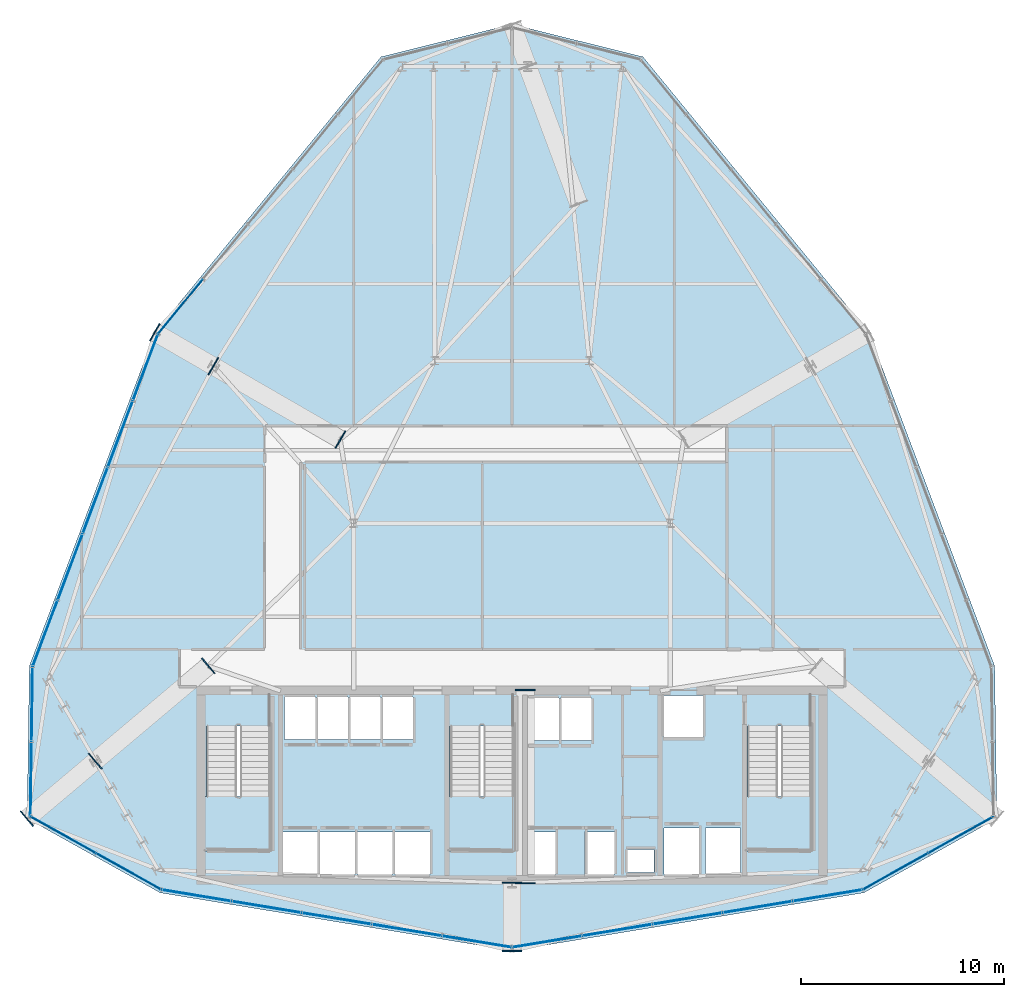
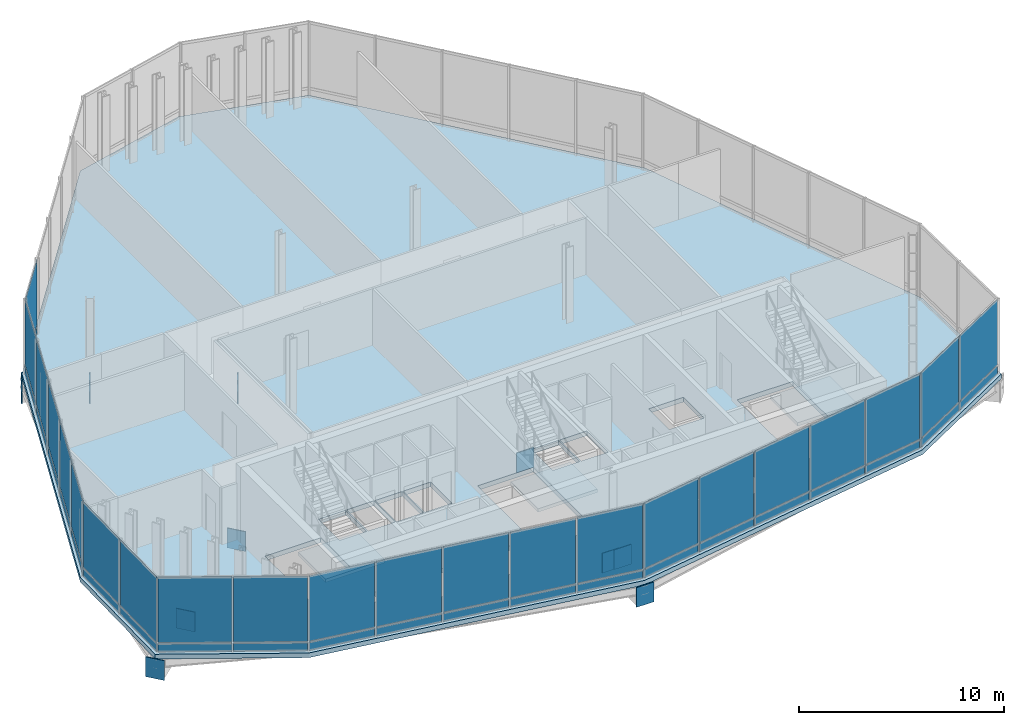
# One storey, part 19 of 26: 54 plates, 4 slabs, 10 elements without a shape of their own.
"""IFC4 building model written with IfcOpenShell, lengths in metres."""

from ifc_helpers import new_model, si_unit, direction, frame, origin, origin_2d, place, context, subcontext, project, spatial, polyline, rectangle, outline, extrude, material, layer, layer_set, type_object, element, aggregate, save


model = new_model("IFC4")

# Units and contexts
model_context = context("Model", 3, precision=1e-05, world=origin(), true_north=direction((0.0, 1.0)))
body_context = subcontext(model_context, "Body", "Model", "MODEL_VIEW")
ifc_project = project(units=[si_unit("LENGTHUNIT", "METRE"), si_unit("AREAUNIT", "SQUARE_METRE"), si_unit("VOLUMEUNIT", "CUBIC_METRE"), si_unit("PLANEANGLEUNIT", "RADIAN"), si_unit("MASSUNIT", "GRAM", prefix="KILO")], contexts=[model_context])

# Site, building, storey
site_placement = place(None, origin())
site = spatial("IfcSite", under=ifc_project, at=site_placement, CompositionType="ELEMENT")
building_placement = place(site_placement, origin())
building = spatial("IfcBuilding", under=site, at=building_placement, Name="Ndaravel Arena Tower", CompositionType="ELEMENT")
storey_placement = place(building_placement, frame((0.0, 0.0, 117.39990234375)))
storey = spatial("IfcBuildingStorey", under=building, at=storey_placement, Name="L27", CompositionType="ELEMENT", Elevation=117.39990234375)

# Plates
ifc_material_1 = material(Name="Steel S460", Category="steel")
ifc_layer_1 = layer(ifc_material_1, 0.06005859375)
ifc_layer_set_1 = layer_set([ifc_layer_1], Name="Steel S460")
plate_type_1 = type_object("IfcPlateType", Name="PLT-CAP-STF1", PredefinedType="USERDEFINED", material=ifc_layer_set_1)
for number, where, z_axis, x_axis, name in (
    (1, (27.03955078125, 16.17919921875, -1.419921875), (0.0, 0.0, 1.0), (-0.764808968487, -0.64425712392, 0.0), "L27 Hollow Section Sealed End Cap Plate HCP-001"),
    (2, (21.466064453125, 11.48486328125, -1.419921875), (0.0, 0.0, 1.0), (-0.764808968487, -0.64425712392, 0.0), "L27 Hollow Section Sealed End Cap Plate HCP-002"),
    (3, (18.10205078125, 8.651611328125, -1.419921875), (0.0, 0.0, 1.0), (-0.764808968487, -0.64425712392, 0.0), "L27 Hollow Section Sealed End Cap Plate HCP-003"),
    (4, (42.64990234375, 14.9951171875, -1.419921875), (0.0, 0.0, 1.0), (0.0, -1.0, 0.0), "L27 Hollow Section Sealed End Cap Plate HCP-004"),
    (5, (42.64990234375, 5.465087890625, -1.419921875), (0.0, 0.0, 1.0), (0.0, -1.0, 0.0), "L27 Hollow Section Sealed End Cap Plate HCP-005"),
    (6, (42.0, 5.4951171875, -1.419921875), (0.0, 0.0, 1.0), (0.0, -1.0, 0.0), "L27 Hollow Section Sealed End Cap Plate HCP-006"),
    (7, (42.0, 2.135009765625, -1.419921875), (0.0, 0.0, 1.0), (0.0, -1.0, 0.0), "L27 Hollow Section Sealed End Cap Plate HCP-007"),
    (8, (33.550048828125, 27.330810546875, -1.419921875), (0.0, 0.0, 1.0), (-0.866025403784, 0.5, 0.0), "L27 Hollow Section Sealed End Cap Plate HCP-017"),
    (9, (27.288818359375, 30.94580078125, -1.419921875), (0.0, 0.0, 1.0), (-0.866025403784, 0.5, 0.0), "L27 Hollow Section Sealed End Cap Plate HCP-018"),
    (10, (24.40478515625, 32.61083984375, -1.419921875), (0.0, 0.0, 1.0), (-0.866025403784, 0.5, 0.0), "L27 Hollow Section Sealed End Cap Plate HCP-019"),
):
    element("IfcPlate", number, at=place(storey_placement, frame(where, z_axis=z_axis, x_axis=x_axis)), inside=storey, type_object=plate_type_1, Name=name, ObjectType="STIFFENER_PLATE", PredefinedType="USERDEFINED", context=body_context, shape_type="SweptSolid", body=[
        extrude(rectangle(XDim=0.06005859375, YDim=0.97998046875, at=origin_2d()), origin(), (0.0, 0.0, 1.0), 1.179931640625),
    ])

# Curtain wall, plates
ifc_material_2 = material(Name="Aluminium", Category="aluminium")
ifc_layer_2 = layer(ifc_material_2, 0.179931640625)
ifc_layer_set_2 = layer_set([ifc_layer_2], Name="Aluminium")
curtain_wall_type = type_object("IfcCurtainWallType", Name="CW-SYS-04", PredefinedType="NOTDEFINED", material=ifc_layer_set_2)
curtain_wall_1_placement = place(storey_placement, origin())
curtain_wall_1 = element("IfcCurtainWall", 11, at=curtain_wall_1_placement, inside=storey, type_object=curtain_wall_type, Name="L27 Faceted Crystal Curtain Wall CW-L27-E01", PredefinedType="NOTDEFINED")
ifc_material_3 = material(Name="Glazing", Category="glass")
ifc_layer_3 = layer(ifc_material_3, 0.0400390625)
ifc_layer_set_3 = layer_set([ifc_layer_3], Name="Glazing")
plate_type_2 = type_object("IfcPlateType", Name="PLT-GLZ-LOWIRON", PredefinedType="CURTAIN_PANEL", material=ifc_layer_set_3)
plate_1_placement = place(storey_placement, frame((19.8876953125, 7.854248046875, 0.59033203125), z_axis=(0.0, 0.0, 1.0), x_axis=(0.87317740032, -0.487402531354, 0.0)))
plate_1 = element("IfcPlate", 12, at=plate_1_placement, type_object=plate_type_2, Name="CW-L27-E01 Vision Glass Panel 01", PredefinedType="CURTAIN_PANEL", context=body_context, shape_type="SweptSolid", body=[
    extrude(rectangle(XDim=3.6142578125, YDim=0.035888671875, at=origin_2d()), origin(), (0.0, 0.0, 1.0), 3.889892578125),
])
plate_2_placement = place(storey_placement, frame((23.113525390625, 6.0537109375, 0.59033203125), z_axis=(0.0, 0.0, 1.0), x_axis=(0.87317740032, -0.487402531354, 0.0)))
plate_2 = element("IfcPlate", 13, at=plate_2_placement, type_object=plate_type_2, Name="CW-L27-E01 Vision Glass Panel 02", PredefinedType="CURTAIN_PANEL", context=body_context, shape_type="SweptSolid", body=[
    extrude(rectangle(XDim=3.6142578125, YDim=0.035888671875, at=origin_2d()), origin(), (0.0, 0.0, 1.0), 3.889892578125),
])

curtain_wall_2_placement = place(storey_placement, origin())
curtain_wall_2 = element("IfcCurtainWall", 14, at=curtain_wall_2_placement, inside=storey, type_object=curtain_wall_type, Name="L27 Faceted Crystal Curtain Wall CW-L27-E02", PredefinedType="NOTDEFINED")
plate_3_placement = place(storey_placement, frame((26.453857421875, 4.869140625, 0.59033203125), z_axis=(0.0, 0.0, 1.0), x_axis=(0.986739822482, -0.162309958809, 0.0)))
plate_3 = element("IfcPlate", 15, at=plate_3_placement, type_object=plate_type_2, Name="CW-L27-E02 Vision Glass Panel 01", PredefinedType="CURTAIN_PANEL", context=body_context, shape_type="SweptSolid", body=[
    extrude(rectangle(XDim=3.421142578125, YDim=0.035888671875, at=origin_2d()), origin(), (0.0, 0.0, 1.0), 3.889892578125),
])
plate_4_placement = place(storey_placement, frame((29.90869140625, 4.30078125, 0.59033203125), z_axis=(0.0, 0.0, 1.0), x_axis=(0.986739822482, -0.162309958809, 0.0)))
plate_4 = element("IfcPlate", 16, at=plate_4_placement, type_object=plate_type_2, Name="CW-L27-E02 Vision Glass Panel 02", PredefinedType="CURTAIN_PANEL", context=body_context, shape_type="SweptSolid", body=[
    extrude(rectangle(XDim=3.421142578125, YDim=0.035888671875, at=origin_2d()), origin(), (0.0, 0.0, 1.0), 3.889892578125),
])
plate_5_placement = place(storey_placement, frame((33.36328125, 3.732666015625, 0.59033203125), z_axis=(0.0, 0.0, 1.0), x_axis=(0.986739822482, -0.162309958809, 0.0)))
plate_5 = element("IfcPlate", 17, at=plate_5_placement, type_object=plate_type_2, Name="CW-L27-E02 Vision Glass Panel 03", PredefinedType="CURTAIN_PANEL", context=body_context, shape_type="SweptSolid", body=[
    extrude(rectangle(XDim=3.421142578125, YDim=0.035888671875, at=origin_2d()), origin(), (0.0, 0.0, 1.0), 3.889892578125),
])
plate_6_placement = place(storey_placement, frame((36.818115234375, 3.16455078125, 0.59033203125), z_axis=(0.0, 0.0, 1.0), x_axis=(0.986739822482, -0.162309958809, 0.0)))
plate_6 = element("IfcPlate", 18, at=plate_6_placement, type_object=plate_type_2, Name="CW-L27-E02 Vision Glass Panel 04", PredefinedType="CURTAIN_PANEL", context=body_context, shape_type="SweptSolid", body=[
    extrude(rectangle(XDim=3.421142578125, YDim=0.035888671875, at=origin_2d()), origin(), (0.0, 0.0, 1.0), 3.889892578125),
])
plate_7_placement = place(storey_placement, frame((40.272705078125, 2.59619140625, 0.59033203125), z_axis=(0.0, 0.0, 1.0), x_axis=(0.986739822482, -0.162309958809, 0.0)))
plate_7 = element("IfcPlate", 19, at=plate_7_placement, type_object=plate_type_2, Name="CW-L27-E02 Vision Glass Panel 05", PredefinedType="CURTAIN_PANEL", context=body_context, shape_type="SweptSolid", body=[
    extrude(rectangle(XDim=3.421142578125, YDim=0.035888671875, at=origin_2d()), origin(), (0.0, 0.0, 1.0), 3.889892578125),
])

curtain_wall_3_placement = place(storey_placement, origin())
curtain_wall_3 = element("IfcCurtainWall", 20, at=curtain_wall_3_placement, inside=storey, type_object=curtain_wall_type, Name="L27 Faceted Crystal Curtain Wall CW-L27-E03", PredefinedType="NOTDEFINED")
plate_8_placement = place(storey_placement, frame((43.727294921875, 2.59619140625, 0.59033203125), z_axis=(0.0, 0.0, 1.0), x_axis=(0.986739822482, 0.162309958809, 0.0)))
plate_8 = element("IfcPlate", 21, at=plate_8_placement, type_object=plate_type_2, Name="CW-L27-E03 Vision Glass Panel 01", PredefinedType="CURTAIN_PANEL", context=body_context, shape_type="SweptSolid", body=[
    extrude(rectangle(XDim=3.421142578125, YDim=0.035888671875, at=origin_2d()), origin(), (0.0, 0.0, 1.0), 3.889892578125),
])
plate_9_placement = place(storey_placement, frame((47.18212890625, 3.16455078125, 0.59033203125), z_axis=(0.0, 0.0, 1.0), x_axis=(0.986739822482, 0.162309958809, 0.0)))
plate_9 = element("IfcPlate", 22, at=plate_9_placement, type_object=plate_type_2, Name="CW-L27-E03 Vision Glass Panel 02", PredefinedType="CURTAIN_PANEL", context=body_context, shape_type="SweptSolid", body=[
    extrude(rectangle(XDim=3.421142578125, YDim=0.035888671875, at=origin_2d()), origin(), (0.0, 0.0, 1.0), 3.889892578125),
])
plate_10_placement = place(storey_placement, frame((50.63671875, 3.732666015625, 0.59033203125), z_axis=(0.0, 0.0, 1.0), x_axis=(0.986739822482, 0.162309958809, 0.0)))
plate_10 = element("IfcPlate", 23, at=plate_10_placement, type_object=plate_type_2, Name="CW-L27-E03 Vision Glass Panel 03", PredefinedType="CURTAIN_PANEL", context=body_context, shape_type="SweptSolid", body=[
    extrude(rectangle(XDim=3.421142578125, YDim=0.035888671875, at=origin_2d()), origin(), (0.0, 0.0, 1.0), 3.889892578125),
])
plate_11_placement = place(storey_placement, frame((54.091552734375, 4.30078125, 0.59033203125), z_axis=(0.0, 0.0, 1.0), x_axis=(0.986739822482, 0.162309958809, 0.0)))
plate_11 = element("IfcPlate", 24, at=plate_11_placement, type_object=plate_type_2, Name="CW-L27-E03 Vision Glass Panel 04", PredefinedType="CURTAIN_PANEL", context=body_context, shape_type="SweptSolid", body=[
    extrude(rectangle(XDim=3.421142578125, YDim=0.035888671875, at=origin_2d()), origin(), (0.0, 0.0, 1.0), 3.889892578125),
])
plate_12_placement = place(storey_placement, frame((57.546142578125, 4.869140625, 0.59033203125), z_axis=(0.0, 0.0, 1.0), x_axis=(0.986739822482, 0.162309958809, 0.0)))
plate_12 = element("IfcPlate", 25, at=plate_12_placement, type_object=plate_type_2, Name="CW-L27-E03 Vision Glass Panel 05", PredefinedType="CURTAIN_PANEL", context=body_context, shape_type="SweptSolid", body=[
    extrude(rectangle(XDim=3.421142578125, YDim=0.035888671875, at=origin_2d()), origin(), (0.0, 0.0, 1.0), 3.889892578125),
])

curtain_wall_4_placement = place(storey_placement, origin())
curtain_wall_4 = element("IfcCurtainWall", 26, at=curtain_wall_4_placement, inside=storey, type_object=curtain_wall_type, Name="L27 Faceted Crystal Curtain Wall CW-L27-E04", PredefinedType="NOTDEFINED")
plate_13_placement = place(storey_placement, frame((60.886474609375, 6.0537109375, 0.59033203125), z_axis=(0.0, 0.0, 1.0), x_axis=(0.87317740032, 0.487402531354, 0.0)))
plate_13 = element("IfcPlate", 27, at=plate_13_placement, type_object=plate_type_2, Name="CW-L27-E04 Vision Glass Panel 01", PredefinedType="CURTAIN_PANEL", context=body_context, shape_type="SweptSolid", body=[
    extrude(rectangle(XDim=3.6142578125, YDim=0.035888671875, at=origin_2d()), origin(), (0.0, 0.0, 1.0), 3.889892578125),
])
plate_14_placement = place(storey_placement, frame((64.1123046875, 7.854248046875, 0.59033203125), z_axis=(0.0, 0.0, 1.0), x_axis=(0.87317740032, 0.487402531354, 0.0)))
plate_14 = element("IfcPlate", 28, at=plate_14_placement, type_object=plate_type_2, Name="CW-L27-E04 Vision Glass Panel 02", PredefinedType="CURTAIN_PANEL", context=body_context, shape_type="SweptSolid", body=[
    extrude(rectangle(XDim=3.6142578125, YDim=0.035888671875, at=origin_2d()), origin(), (0.0, 0.0, 1.0), 3.889892578125),
])

# Curtain wall, plate
curtain_wall_5_placement = place(storey_placement, origin())
curtain_wall_5 = element("IfcCurtainWall", 29, at=curtain_wall_5_placement, inside=storey, type_object=curtain_wall_type, Name="L27 Faceted Crystal Curtain Wall CW-L27-E10", PredefinedType="NOTDEFINED")
plate_15_placement = place(storey_placement, frame((25.666259765625, 33.8740234375, 0.59033203125), z_axis=(0.0, 0.0, 1.0), x_axis=(-0.633934458857, -0.773386773791, 0.0)))
plate_15 = element("IfcPlate", 30, at=plate_15_placement, type_object=plate_type_2, Name="CW-L27-E10 Vision Glass Panel 05", PredefinedType="CURTAIN_PANEL", context=body_context, shape_type="SweptSolid", body=[
    extrude(rectangle(XDim=3.416015625, YDim=0.035888671875, at=origin_2d()), origin(), (0.0, 0.0, 1.0), 3.889892578125),
])

# Curtain wall, plates
curtain_wall_6_placement = place(storey_placement, origin())
curtain_wall_6 = element("IfcCurtainWall", 31, at=curtain_wall_6_placement, inside=storey, type_object=curtain_wall_type, Name="L27 Faceted Crystal Curtain Wall CW-L27-E11", PredefinedType="NOTDEFINED")
plate_16_placement = place(storey_placement, frame((23.940673828125, 30.88427734375, 0.59033203125), z_axis=(0.0, 0.0, 1.0), x_axis=(-0.352805363625, -0.935696732599, 0.0)))
plate_16 = element("IfcPlate", 32, at=plate_16_placement, type_object=plate_type_2, Name="CW-L27-E11 Vision Glass Panel 01", PredefinedType="CURTAIN_PANEL", context=body_context, shape_type="SweptSolid", body=[
    extrude(rectangle(XDim=3.421142578125, YDim=0.035888671875, at=origin_2d()), origin(), (0.0, 0.0, 1.0), 3.889892578125),
])
plate_17_placement = place(storey_placement, frame((22.705322265625, 27.608154296875, 0.59033203125), z_axis=(0.0, 0.0, 1.0), x_axis=(-0.352805363625, -0.935696732599, 0.0)))
plate_17 = element("IfcPlate", 33, at=plate_17_placement, type_object=plate_type_2, Name="CW-L27-E11 Vision Glass Panel 02", PredefinedType="CURTAIN_PANEL", context=body_context, shape_type="SweptSolid", body=[
    extrude(rectangle(XDim=3.421142578125, YDim=0.035888671875, at=origin_2d()), origin(), (0.0, 0.0, 1.0), 3.889892578125),
])
plate_18_placement = place(storey_placement, frame((21.47021484375, 24.332275390625, 0.59033203125), z_axis=(0.0, 0.0, 1.0), x_axis=(-0.352805363625, -0.935696732599, 0.0)))
plate_18 = element("IfcPlate", 34, at=plate_18_placement, type_object=plate_type_2, Name="CW-L27-E11 Vision Glass Panel 03", PredefinedType="CURTAIN_PANEL", context=body_context, shape_type="SweptSolid", body=[
    extrude(rectangle(XDim=3.421142578125, YDim=0.035888671875, at=origin_2d()), origin(), (0.0, 0.0, 1.0), 3.889892578125),
])
plate_19_placement = place(storey_placement, frame((20.23486328125, 21.056396484375, 0.59033203125), z_axis=(0.0, 0.0, 1.0), x_axis=(-0.352805363625, -0.935696732599, 0.0)))
plate_19 = element("IfcPlate", 35, at=plate_19_placement, type_object=plate_type_2, Name="CW-L27-E11 Vision Glass Panel 04", PredefinedType="CURTAIN_PANEL", context=body_context, shape_type="SweptSolid", body=[
    extrude(rectangle(XDim=3.421142578125, YDim=0.035888671875, at=origin_2d()), origin(), (0.0, 0.0, 1.0), 3.889892578125),
])
plate_20_placement = place(storey_placement, frame((18.99951171875, 17.7802734375, 0.59033203125), z_axis=(0.0, 0.0, 1.0), x_axis=(-0.352805363625, -0.935696732599, 0.0)))
plate_20 = element("IfcPlate", 36, at=plate_20_placement, type_object=plate_type_2, Name="CW-L27-E11 Vision Glass Panel 05", PredefinedType="CURTAIN_PANEL", context=body_context, shape_type="SweptSolid", body=[
    extrude(rectangle(XDim=3.421142578125, YDim=0.035888671875, at=origin_2d()), origin(), (0.0, 0.0, 1.0), 3.889892578125),
])

curtain_wall_7_placement = place(storey_placement, origin())
curtain_wall_7 = element("IfcCurtainWall", 37, at=curtain_wall_7_placement, inside=storey, type_object=curtain_wall_type, Name="L27 Faceted Crystal Curtain Wall CW-L27-E12", PredefinedType="NOTDEFINED")
plate_21_placement = place(storey_placement, frame((18.355224609375, 14.29541015625, 0.59033203125), z_axis=(0.0, 0.0, 1.0), x_axis=(-0.014503177598, -0.999894823389, 0.0)))
plate_21 = element("IfcPlate", 38, at=plate_21_placement, type_object=plate_type_2, Name="CW-L27-E12 Vision Glass Panel 01", PredefinedType="CURTAIN_PANEL", context=body_context, shape_type="SweptSolid", body=[
    extrude(rectangle(XDim=3.6142578125, YDim=0.035888671875, at=origin_2d()), origin(), (0.0, 0.0, 1.0), 3.889892578125),
])
plate_22_placement = place(storey_placement, frame((18.3017578125, 10.601318359375, 0.59033203125), z_axis=(0.0, 0.0, 1.0), x_axis=(-0.014503177598, -0.999894823389, 0.0)))
plate_22 = element("IfcPlate", 39, at=plate_22_placement, type_object=plate_type_2, Name="CW-L27-E12 Vision Glass Panel 02", PredefinedType="CURTAIN_PANEL", context=body_context, shape_type="SweptSolid", body=[
    extrude(rectangle(XDim=3.6142578125, YDim=0.035888671875, at=origin_2d()), origin(), (0.0, 0.0, 1.0), 3.889892578125),
])

# Plate
ifc_material_4 = material(Name="Aluminium", Category="aluminium")
ifc_layer_4 = layer(ifc_material_4, 0.044921875)
ifc_layer_set_4 = layer_set([ifc_layer_4], Name="Aluminium")
plate_type_3 = type_object("IfcPlateType", Name="PLT-SPANDREL-ALU", PredefinedType="SHEET", material=ifc_layer_set_4)
plate_23_placement = place(storey_placement, frame((19.8876953125, 7.854248046875, 0.0400390625), z_axis=(0.0, 0.0, 1.0), x_axis=(0.87317740032, -0.487402531354, 0.0)))
plate_23 = element("IfcPlate", 40, at=plate_23_placement, type_object=plate_type_3, Name="CW-L27-E01 Spandrel Panel 01", PredefinedType="SHEET", context=body_context, shape_type="SweptSolid", body=[
    extrude(rectangle(XDim=3.6142578125, YDim=0.044921875, at=origin_2d()), origin(), (0.0, 0.0, 1.0), 0.469970703125),
])

plate_24_placement = place(storey_placement, frame((23.113525390625, 6.0537109375, 0.0400390625), z_axis=(0.0, 0.0, 1.0), x_axis=(0.87317740032, -0.487402531354, 0.0)))
plate_24 = element("IfcPlate", 41, at=plate_24_placement, type_object=plate_type_3, Name="CW-L27-E01 Spandrel Panel 02", PredefinedType="SHEET", context=body_context, shape_type="SweptSolid", body=[
    extrude(rectangle(XDim=3.6142578125, YDim=0.044921875, at=origin_2d()), origin(), (0.0, 0.0, 1.0), 0.469970703125),
])

aggregate(curtain_wall_1, [plate_23, plate_1, plate_24, plate_2])

plate_25_placement = place(storey_placement, frame((26.453857421875, 4.869140625, 0.0400390625), z_axis=(0.0, 0.0, 1.0), x_axis=(0.986739822482, -0.162309958809, 0.0)))
plate_25 = element("IfcPlate", 42, at=plate_25_placement, type_object=plate_type_3, Name="CW-L27-E02 Spandrel Panel 01", PredefinedType="SHEET", context=body_context, shape_type="SweptSolid", body=[
    extrude(rectangle(XDim=3.421142578125, YDim=0.044921875, at=origin_2d()), origin(), (0.0, 0.0, 1.0), 0.469970703125),
])

plate_26_placement = place(storey_placement, frame((29.90869140625, 4.30078125, 0.0400390625), z_axis=(0.0, 0.0, 1.0), x_axis=(0.986739822482, -0.162309958809, 0.0)))
plate_26 = element("IfcPlate", 43, at=plate_26_placement, type_object=plate_type_3, Name="CW-L27-E02 Spandrel Panel 02", PredefinedType="SHEET", context=body_context, shape_type="SweptSolid", body=[
    extrude(rectangle(XDim=3.421142578125, YDim=0.044921875, at=origin_2d()), origin(), (0.0, 0.0, 1.0), 0.469970703125),
])

plate_27_placement = place(storey_placement, frame((33.36328125, 3.732666015625, 0.0400390625), z_axis=(0.0, 0.0, 1.0), x_axis=(0.986739822482, -0.162309958809, 0.0)))
plate_27 = element("IfcPlate", 44, at=plate_27_placement, type_object=plate_type_3, Name="CW-L27-E02 Spandrel Panel 03", PredefinedType="SHEET", context=body_context, shape_type="SweptSolid", body=[
    extrude(rectangle(XDim=3.421142578125, YDim=0.044921875, at=origin_2d()), origin(), (0.0, 0.0, 1.0), 0.469970703125),
])

plate_28_placement = place(storey_placement, frame((36.818115234375, 3.16455078125, 0.0400390625), z_axis=(0.0, 0.0, 1.0), x_axis=(0.986739822482, -0.162309958809, 0.0)))
plate_28 = element("IfcPlate", 45, at=plate_28_placement, type_object=plate_type_3, Name="CW-L27-E02 Spandrel Panel 04", PredefinedType="SHEET", context=body_context, shape_type="SweptSolid", body=[
    extrude(rectangle(XDim=3.421142578125, YDim=0.044921875, at=origin_2d()), origin(), (0.0, 0.0, 1.0), 0.469970703125),
])

plate_29_placement = place(storey_placement, frame((40.272705078125, 2.59619140625, 0.0400390625), z_axis=(0.0, 0.0, 1.0), x_axis=(0.986739822482, -0.162309958809, 0.0)))
plate_29 = element("IfcPlate", 46, at=plate_29_placement, type_object=plate_type_3, Name="CW-L27-E02 Spandrel Panel 05", PredefinedType="SHEET", context=body_context, shape_type="SweptSolid", body=[
    extrude(rectangle(XDim=3.421142578125, YDim=0.044921875, at=origin_2d()), origin(), (0.0, 0.0, 1.0), 0.469970703125),
])

aggregate(curtain_wall_2, [plate_25, plate_3, plate_26, plate_4, plate_27, plate_5, plate_28, plate_6, plate_29, plate_7])

plate_30_placement = place(storey_placement, frame((43.727294921875, 2.59619140625, 0.0400390625), z_axis=(0.0, 0.0, 1.0), x_axis=(0.986739822482, 0.162309958809, 0.0)))
plate_30 = element("IfcPlate", 47, at=plate_30_placement, type_object=plate_type_3, Name="CW-L27-E03 Spandrel Panel 01", PredefinedType="SHEET", context=body_context, shape_type="SweptSolid", body=[
    extrude(rectangle(XDim=3.421142578125, YDim=0.044921875, at=origin_2d()), origin(), (0.0, 0.0, 1.0), 0.469970703125),
])

plate_31_placement = place(storey_placement, frame((47.18212890625, 3.16455078125, 0.0400390625), z_axis=(0.0, 0.0, 1.0), x_axis=(0.986739822482, 0.162309958809, 0.0)))
plate_31 = element("IfcPlate", 48, at=plate_31_placement, type_object=plate_type_3, Name="CW-L27-E03 Spandrel Panel 02", PredefinedType="SHEET", context=body_context, shape_type="SweptSolid", body=[
    extrude(rectangle(XDim=3.421142578125, YDim=0.044921875, at=origin_2d()), origin(), (0.0, 0.0, 1.0), 0.469970703125),
])

plate_32_placement = place(storey_placement, frame((50.63671875, 3.732666015625, 0.0400390625), z_axis=(0.0, 0.0, 1.0), x_axis=(0.986739822482, 0.162309958809, 0.0)))
plate_32 = element("IfcPlate", 49, at=plate_32_placement, type_object=plate_type_3, Name="CW-L27-E03 Spandrel Panel 03", PredefinedType="SHEET", context=body_context, shape_type="SweptSolid", body=[
    extrude(rectangle(XDim=3.421142578125, YDim=0.044921875, at=origin_2d()), origin(), (0.0, 0.0, 1.0), 0.469970703125),
])

plate_33_placement = place(storey_placement, frame((54.091552734375, 4.30078125, 0.0400390625), z_axis=(0.0, 0.0, 1.0), x_axis=(0.986739822482, 0.162309958809, 0.0)))
plate_33 = element("IfcPlate", 50, at=plate_33_placement, type_object=plate_type_3, Name="CW-L27-E03 Spandrel Panel 04", PredefinedType="SHEET", context=body_context, shape_type="SweptSolid", body=[
    extrude(rectangle(XDim=3.421142578125, YDim=0.044921875, at=origin_2d()), origin(), (0.0, 0.0, 1.0), 0.469970703125),
])

plate_34_placement = place(storey_placement, frame((57.546142578125, 4.869140625, 0.0400390625), z_axis=(0.0, 0.0, 1.0), x_axis=(0.986739822482, 0.162309958809, 0.0)))
plate_34 = element("IfcPlate", 51, at=plate_34_placement, type_object=plate_type_3, Name="CW-L27-E03 Spandrel Panel 05", PredefinedType="SHEET", context=body_context, shape_type="SweptSolid", body=[
    extrude(rectangle(XDim=3.421142578125, YDim=0.044921875, at=origin_2d()), origin(), (0.0, 0.0, 1.0), 0.469970703125),
])

aggregate(curtain_wall_3, [plate_30, plate_8, plate_31, plate_9, plate_32, plate_10, plate_33, plate_11, plate_34, plate_12])

plate_35_placement = place(storey_placement, frame((60.886474609375, 6.0537109375, 0.0400390625), z_axis=(0.0, 0.0, 1.0), x_axis=(0.87317740032, 0.487402531354, 0.0)))
plate_35 = element("IfcPlate", 52, at=plate_35_placement, type_object=plate_type_3, Name="CW-L27-E04 Spandrel Panel 01", PredefinedType="SHEET", context=body_context, shape_type="SweptSolid", body=[
    extrude(rectangle(XDim=3.6142578125, YDim=0.044921875, at=origin_2d()), origin(), (0.0, 0.0, 1.0), 0.469970703125),
])

plate_36_placement = place(storey_placement, frame((64.1123046875, 7.854248046875, 0.0400390625), z_axis=(0.0, 0.0, 1.0), x_axis=(0.87317740032, 0.487402531354, 0.0)))
plate_36 = element("IfcPlate", 53, at=plate_36_placement, type_object=plate_type_3, Name="CW-L27-E04 Spandrel Panel 02", PredefinedType="SHEET", context=body_context, shape_type="SweptSolid", body=[
    extrude(rectangle(XDim=3.6142578125, YDim=0.044921875, at=origin_2d()), origin(), (0.0, 0.0, 1.0), 0.469970703125),
])

aggregate(curtain_wall_4, [plate_35, plate_13, plate_36, plate_14])

plate_37_placement = place(storey_placement, frame((25.666259765625, 33.8740234375, 0.0400390625), z_axis=(0.0, 0.0, 1.0), x_axis=(-0.633934458857, -0.773386773791, 0.0)))
plate_37 = element("IfcPlate", 54, at=plate_37_placement, type_object=plate_type_3, Name="CW-L27-E10 Spandrel Panel 05", PredefinedType="SHEET", context=body_context, shape_type="SweptSolid", body=[
    extrude(rectangle(XDim=3.416015625, YDim=0.044921875, at=origin_2d()), origin(), (0.0, 0.0, 1.0), 0.469970703125),
])

aggregate(curtain_wall_5, [plate_37, plate_15])

plate_38_placement = place(storey_placement, frame((23.940673828125, 30.88427734375, 0.0400390625), z_axis=(0.0, 0.0, 1.0), x_axis=(-0.352805363625, -0.935696732599, 0.0)))
plate_38 = element("IfcPlate", 55, at=plate_38_placement, type_object=plate_type_3, Name="CW-L27-E11 Spandrel Panel 01", PredefinedType="SHEET", context=body_context, shape_type="SweptSolid", body=[
    extrude(rectangle(XDim=3.421142578125, YDim=0.044921875, at=origin_2d()), origin(), (0.0, 0.0, 1.0), 0.469970703125),
])

plate_39_placement = place(storey_placement, frame((22.705322265625, 27.608154296875, 0.0400390625), z_axis=(0.0, 0.0, 1.0), x_axis=(-0.352805363625, -0.935696732599, 0.0)))
plate_39 = element("IfcPlate", 56, at=plate_39_placement, type_object=plate_type_3, Name="CW-L27-E11 Spandrel Panel 02", PredefinedType="SHEET", context=body_context, shape_type="SweptSolid", body=[
    extrude(rectangle(XDim=3.421142578125, YDim=0.044921875, at=origin_2d()), origin(), (0.0, 0.0, 1.0), 0.469970703125),
])

plate_40_placement = place(storey_placement, frame((21.47021484375, 24.332275390625, 0.0400390625), z_axis=(0.0, 0.0, 1.0), x_axis=(-0.352805363625, -0.935696732599, 0.0)))
plate_40 = element("IfcPlate", 57, at=plate_40_placement, type_object=plate_type_3, Name="CW-L27-E11 Spandrel Panel 03", PredefinedType="SHEET", context=body_context, shape_type="SweptSolid", body=[
    extrude(rectangle(XDim=3.421142578125, YDim=0.044921875, at=origin_2d()), origin(), (0.0, 0.0, 1.0), 0.469970703125),
])

plate_41_placement = place(storey_placement, frame((20.23486328125, 21.056396484375, 0.0400390625), z_axis=(0.0, 0.0, 1.0), x_axis=(-0.352805363625, -0.935696732599, 0.0)))
plate_41 = element("IfcPlate", 58, at=plate_41_placement, type_object=plate_type_3, Name="CW-L27-E11 Spandrel Panel 04", PredefinedType="SHEET", context=body_context, shape_type="SweptSolid", body=[
    extrude(rectangle(XDim=3.421142578125, YDim=0.044921875, at=origin_2d()), origin(), (0.0, 0.0, 1.0), 0.469970703125),
])

plate_42_placement = place(storey_placement, frame((18.99951171875, 17.7802734375, 0.0400390625), z_axis=(0.0, 0.0, 1.0), x_axis=(-0.352805363625, -0.935696732599, 0.0)))
plate_42 = element("IfcPlate", 59, at=plate_42_placement, type_object=plate_type_3, Name="CW-L27-E11 Spandrel Panel 05", PredefinedType="SHEET", context=body_context, shape_type="SweptSolid", body=[
    extrude(rectangle(XDim=3.421142578125, YDim=0.044921875, at=origin_2d()), origin(), (0.0, 0.0, 1.0), 0.469970703125),
])

aggregate(curtain_wall_6, [plate_38, plate_16, plate_39, plate_17, plate_40, plate_18, plate_41, plate_19, plate_42, plate_20])

plate_43_placement = place(storey_placement, frame((18.355224609375, 14.29541015625, 0.0400390625), z_axis=(0.0, 0.0, 1.0), x_axis=(-0.014503177598, -0.999894823389, 0.0)))
plate_43 = element("IfcPlate", 60, at=plate_43_placement, type_object=plate_type_3, Name="CW-L27-E12 Spandrel Panel 01", PredefinedType="SHEET", context=body_context, shape_type="SweptSolid", body=[
    extrude(rectangle(XDim=3.6142578125, YDim=0.044921875, at=origin_2d()), origin(), (0.0, 0.0, 1.0), 0.469970703125),
])

plate_44_placement = place(storey_placement, frame((18.3017578125, 10.601318359375, 0.0400390625), z_axis=(0.0, 0.0, 1.0), x_axis=(-0.014503177598, -0.999894823389, 0.0)))
plate_44 = element("IfcPlate", 61, at=plate_44_placement, type_object=plate_type_3, Name="CW-L27-E12 Spandrel Panel 02", PredefinedType="SHEET", context=body_context, shape_type="SweptSolid", body=[
    extrude(rectangle(XDim=3.6142578125, YDim=0.044921875, at=origin_2d()), origin(), (0.0, 0.0, 1.0), 0.469970703125),
])

aggregate(curtain_wall_7, [plate_43, plate_21, plate_44, plate_22])

# Stair, slab
ifc_material_5 = material(Name="Concrete C40/50", Category="concrete")
stair_type = type_object("IfcStairType", Name="STAIR-CORE-HT", PredefinedType="HALF_TURN_STAIR", material=ifc_material_5)
stair_1_placement = place(storey_placement, origin())
stair_1 = element("IfcStair", 62, at=stair_1_placement, inside=storey, type_object=stair_type, Name="L27 ST-1", PredefinedType="HALF_TURN_STAIR")
ifc_material_6 = material(Name="Concrete C40/50", Category="concrete")
ifc_layer_5 = layer(ifc_material_6, 0.199951171875)
ifc_layer_set_5 = layer_set([ifc_layer_5], Name="Concrete C40/50")
slab_type_1 = type_object("IfcSlabType", Name="SLAB-STAIR-LANDING", PredefinedType="LANDING", material=ifc_layer_set_5)
slab_1_placement = place(storey_placement, frame((0.0, 0.0, 2.2001953125)))
slab_1 = element("IfcSlab", 63, at=slab_1_placement, type_object=slab_type_1, Name="ST-1 landing 1", PredefinedType="LANDING", context=body_context, shape_type="SweptSolid", body=[
    extrude(outline(polyline([(26.81005859375, 9.7451171875), (26.81005859375, 7.070068359375), (30.169921875, 7.070068359375), (30.169921875, 9.7451171875), (26.81005859375, 9.7451171875)])), origin(), (0.0, 0.0, 1.0), 0.199951171875),
])
aggregate(stair_1, [slab_1])

stair_2_placement = place(storey_placement, origin())
stair_2 = element("IfcStair", 64, at=stair_2_placement, inside=storey, type_object=stair_type, Name="L27 ST-2", PredefinedType="HALF_TURN_STAIR")
slab_2_placement = place(storey_placement, frame((0.0, 0.0, 2.2001953125)))
slab_2 = element("IfcSlab", 65, at=slab_2_placement, type_object=slab_type_1, Name="ST-2 landing 1", PredefinedType="LANDING", context=body_context, shape_type="SweptSolid", body=[
    extrude(outline(polyline([(38.81005859375, 9.7451171875), (38.81005859375, 7.070068359375), (42.169921875, 7.070068359375), (42.169921875, 9.7451171875), (38.81005859375, 9.7451171875)])), origin(), (0.0, 0.0, 1.0), 0.199951171875),
])
aggregate(stair_2, [slab_2])

stair_3_placement = place(storey_placement, origin())
stair_3 = element("IfcStair", 66, at=stair_3_placement, inside=storey, type_object=stair_type, Name="L27 ST-3", PredefinedType="HALF_TURN_STAIR")
slab_3_placement = place(storey_placement, frame((0.0, 0.0, 2.2001953125)))
slab_3 = element("IfcSlab", 67, at=slab_3_placement, type_object=slab_type_1, Name="ST-3 landing 1", PredefinedType="LANDING", context=body_context, shape_type="SweptSolid", body=[
    extrude(outline(polyline([(53.4599609375, 9.7451171875), (53.4599609375, 7.070068359375), (56.820068359375, 7.070068359375), (56.820068359375, 9.7451171875), (53.4599609375, 9.7451171875)])), origin(), (0.0, 0.0, 1.0), 0.199951171875),
])
aggregate(stair_3, [slab_3])

# Slab
ifc_material_7 = material(Name="Concrete C40/50", Category="concrete")
ifc_layer_6 = layer(ifc_material_7, 0.280029296875)
ifc_layer_set_6 = layer_set([ifc_layer_6], Name="Concrete C40/50")
slab_type_2 = type_object("IfcSlabType", Name="SLAB-TRANS-280", PredefinedType="FLOOR", material=ifc_layer_set_6)
slab_4_placement = place(storey_placement, frame((0.0, 0.0, -0.27978515625)))
element("IfcSlab", 68, at=slab_4_placement, inside=storey, type_object=slab_type_2, Name="L27 Structural Floor Slab", PredefinedType="FLOOR", context=body_context, shape_type="SweptSolid", body=[
    extrude(outline(polyline([(18.222412109375, 16.172607421875), (18.113525390625, 8.661376953125), (24.6728515625, 5.0), (42.0, 2.14990234375), (59.3271484375, 5.0), (65.886474609375, 8.661376953125), (65.777587890625, 16.172607421875), (59.582275390625, 32.603271484375), (48.450439453125, 46.18408203125), (42.0, 47.783935546875), (35.549560546875, 46.18408203125), (24.417724609375, 32.603271484375), (18.222412109375, 16.172607421875)]), holes=[polyline([(26.949951171875, 13.215087890625), (26.949951171875, 7.14990234375), (30.090087890625, 7.14990234375), (30.090087890625, 13.215087890625), (26.949951171875, 13.215087890625)]), polyline([(38.949951171875, 13.215087890625), (38.949951171875, 7.14990234375), (42.090087890625, 7.14990234375), (42.090087890625, 13.215087890625), (38.949951171875, 13.215087890625)]), polyline([(53.60009765625, 13.215087890625), (53.60009765625, 7.14990234375), (56.739990234375, 7.14990234375), (56.739990234375, 13.215087890625), (53.60009765625, 13.215087890625)]), polyline([(30.68505859375, 5.909912109375), (32.4150390625, 5.909912109375), (32.4150390625, 7.989990234375), (30.68505859375, 7.989990234375), (30.68505859375, 5.909912109375)]), polyline([(32.534912109375, 5.909912109375), (34.264892578125, 5.909912109375), (34.264892578125, 7.989990234375), (32.534912109375, 7.989990234375), (32.534912109375, 5.909912109375)]), polyline([(34.385009765625, 5.909912109375), (36.114990234375, 5.909912109375), (36.114990234375, 7.989990234375), (34.385009765625, 7.989990234375), (34.385009765625, 5.909912109375)]), polyline([(36.235107421875, 5.909912109375), (37.965087890625, 5.909912109375), (37.965087890625, 7.989990234375), (36.235107421875, 7.989990234375), (36.235107421875, 5.909912109375)]), polyline([(30.784912109375, 12.56005859375), (32.31494140625, 12.56005859375), (32.31494140625, 14.639892578125), (30.784912109375, 14.639892578125), (30.784912109375, 12.56005859375)]), polyline([(32.385009765625, 12.56005859375), (33.9150390625, 12.56005859375), (33.9150390625, 14.639892578125), (32.385009765625, 14.639892578125), (32.385009765625, 12.56005859375)]), polyline([(33.985107421875, 12.56005859375), (35.514892578125, 12.56005859375), (35.514892578125, 14.639892578125), (33.985107421875, 14.639892578125), (33.985107421875, 12.56005859375)]), polyline([(35.5849609375, 12.56005859375), (37.114990234375, 12.56005859375), (37.114990234375, 14.639892578125), (35.5849609375, 14.639892578125), (35.5849609375, 12.56005859375)]), polyline([(42.659912109375, 5.909912109375), (44.139892578125, 5.909912109375), (44.139892578125, 7.989990234375), (42.659912109375, 7.989990234375), (42.659912109375, 5.909912109375)]), polyline([(45.56005859375, 5.909912109375), (47.0400390625, 5.909912109375), (47.0400390625, 7.989990234375), (45.56005859375, 7.989990234375), (45.56005859375, 5.909912109375)]), polyline([(42.784912109375, 12.510009765625), (44.31494140625, 12.510009765625), (44.31494140625, 14.590087890625), (42.784912109375, 14.590087890625), (42.784912109375, 12.510009765625)]), polyline([(44.385009765625, 12.510009765625), (45.9150390625, 12.510009765625), (45.9150390625, 14.590087890625), (44.385009765625, 14.590087890625), (44.385009765625, 12.510009765625)]), polyline([(49.485107421875, 5.909912109375), (51.215087890625, 5.909912109375), (51.215087890625, 8.18994140625), (49.485107421875, 8.18994140625), (49.485107421875, 5.909912109375)]), polyline([(51.534912109375, 5.909912109375), (53.264892578125, 5.909912109375), (53.264892578125, 8.18994140625), (51.534912109375, 8.18994140625), (51.534912109375, 5.909912109375)]), polyline([(49.4599609375, 12.68505859375), (51.43994140625, 12.68505859375), (51.43994140625, 14.715087890625), (49.4599609375, 14.715087890625), (49.4599609375, 12.68505859375)]), polyline([(47.699951171875, 6.0), (49.0, 6.0), (49.0, 7.139892578125), (47.699951171875, 7.139892578125), (47.699951171875, 6.0)])]), origin(), (0.0, 0.0, 1.0), 0.27978515625),
])

save(model, "model.ifc")
